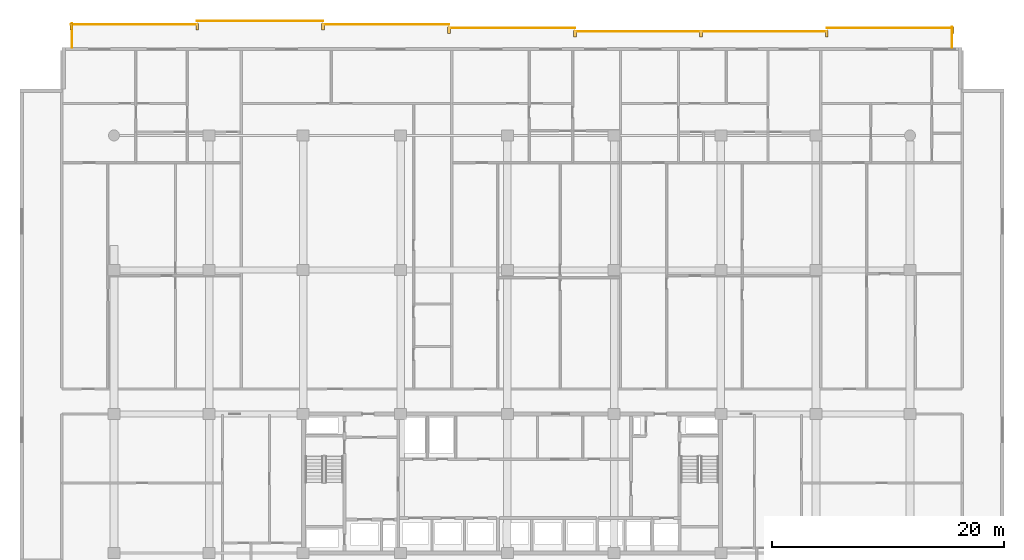
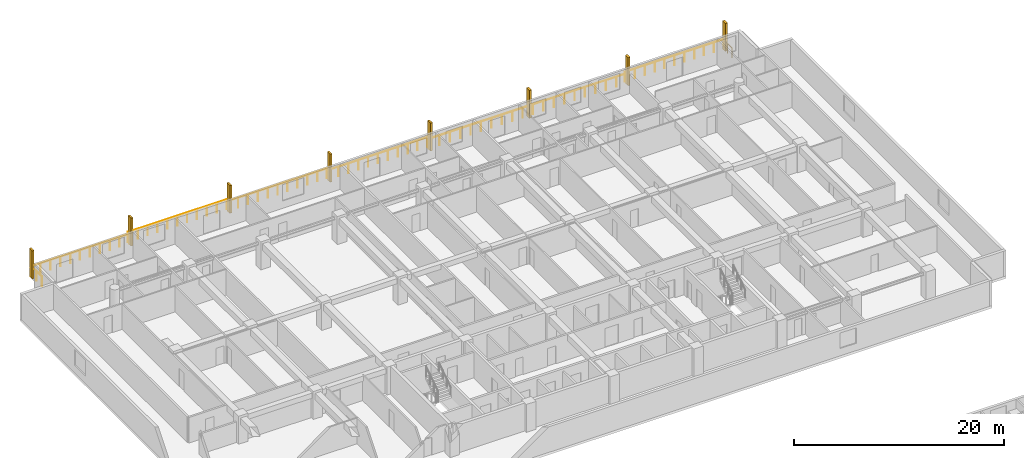
# One storey, part 23 of 23: 8 railings, 8 shading devices.
"""IFC4 building model written with IfcOpenShell, lengths in metres."""

from ifc_helpers import new_model, si_unit, direction, frame, origin, origin_2d, place, context, subcontext, project, spatial, rectangle, circle, extrude, material, type_object, element, save


model = new_model("IFC4")

# Units and contexts
model_context = context("Model", 3, precision=1e-05, world=origin(), true_north=direction((0.0, 1.0)))
body_context = subcontext(model_context, "Body", "Model", "MODEL_VIEW")
ifc_project = project(units=[si_unit("LENGTHUNIT", "METRE"), si_unit("AREAUNIT", "SQUARE_METRE"), si_unit("VOLUMEUNIT", "CUBIC_METRE"), si_unit("PLANEANGLEUNIT", "RADIAN"), si_unit("MASSUNIT", "GRAM", prefix="KILO")], contexts=[model_context])

# Site, building, storey
site_placement = place(None, origin())
site = spatial("IfcSite", under=ifc_project, at=site_placement, CompositionType="ELEMENT")
building_placement = place(site_placement, origin())
building = spatial("IfcBuilding", under=site, at=building_placement, Name="Korimba Cascade Residences", CompositionType="ELEMENT")
storey_placement = place(building_placement, frame((0.0, 0.0, 46.75)))
storey = spatial("IfcBuildingStorey", under=building, at=storey_placement, Name="L12", CompositionType="ELEMENT", Elevation=46.75)

# Railings
ifc_material_1 = material(Name="Laminated Glass and Bronze Balustrade", Category="glass")
railing_type = type_object("IfcRailingType", Name="RLG-LOG-1150", PredefinedType="BALUSTRADE", material=ifc_material_1)
railing_1_placement = place(storey_placement, frame((132.02001953125, 98.800048828125, 0.0)))
element("IfcRailing", 1, at=railing_1_placement, inside=storey, type_object=railing_type, Name="L12 Perimeter Guardrail RLG-L12-T1-LOG-01", PredefinedType="BALUSTRADE", context=body_context, shape_type="SweptSolid", body=[
    extrude(circle(Radius=0.02392578125, at=origin_2d()), frame((0.0, 0.0, 1.1259765625), z_axis=(0.0, 1.0, 0.0), x_axis=(-1.0, 0.0, 0.0)), (0.0, 0.0, 1.0), 1.75),
    extrude(circle(Radius=0.02099609375, at=origin_2d()), origin(), (0.0, 0.0, 1.0), 1.101806640625),
    extrude(circle(Radius=0.02099609375, at=origin_2d()), frame((0.0, 0.875, 0.0)), (0.0, 0.0, 1.0), 1.101806640625),
    extrude(circle(Radius=0.02099609375, at=origin_2d()), frame((0.0, 1.75, 0.0)), (0.0, 0.0, 1.0), 1.101806640625),
])
railing_2_placement = place(storey_placement, frame((132.10009765625, 100.469970703125, 0.0)))
element("IfcRailing", 2, at=railing_2_placement, inside=storey, type_object=railing_type, Name="L12 Perimeter Guardrail RLG-L12-T1-LOG-02", PredefinedType="BALUSTRADE", context=body_context, shape_type="SweptSolid", body=[
    extrude(circle(Radius=0.02392578125, at=origin_2d()), frame((0.0, 0.0, 1.1259765625), z_axis=(-1.0, 0.0, 0.0), x_axis=(0.0, -1.0, 0.0)), (0.0, 0.0, 1.0), 10.857177734375),
    extrude(circle(Radius=0.02099609375, at=origin_2d()), origin(), (0.0, 0.0, 1.0), 1.101806640625),
    extrude(circle(Radius=0.02099609375, at=origin_2d()), frame((-1.085693359375, 0.0, 0.0)), (0.0, 0.0, 1.0), 1.101806640625),
    extrude(circle(Radius=0.02099609375, at=origin_2d()), frame((-2.17138671875, 0.0, 0.0)), (0.0, 0.0, 1.0), 1.101806640625),
    extrude(circle(Radius=0.02099609375, at=origin_2d()), frame((-3.257080078125, 0.0, 0.0)), (0.0, 0.0, 1.0), 1.101806640625),
    extrude(circle(Radius=0.02099609375, at=origin_2d()), frame((-4.3427734375, 0.0, 0.0)), (0.0, 0.0, 1.0), 1.101806640625),
    extrude(circle(Radius=0.02099609375, at=origin_2d()), frame((-5.4287109375, 0.0, 0.0)), (0.0, 0.0, 1.0), 1.101806640625),
    extrude(circle(Radius=0.02099609375, at=origin_2d()), frame((-6.514404296875, 0.0, 0.0)), (0.0, 0.0, 1.0), 1.101806640625),
    extrude(circle(Radius=0.02099609375, at=origin_2d()), frame((-7.60009765625, 0.0, 0.0)), (0.0, 0.0, 1.0), 1.101806640625),
    extrude(circle(Radius=0.02099609375, at=origin_2d()), frame((-8.685791015625, 0.0, 0.0)), (0.0, 0.0, 1.0), 1.101806640625),
    extrude(circle(Radius=0.02099609375, at=origin_2d()), frame((-9.771484375, 0.0, 0.0)), (0.0, 0.0, 1.0), 1.101806640625),
    extrude(circle(Radius=0.02099609375, at=origin_2d()), frame((-10.857177734375, 0.0, 0.0)), (0.0, 0.0, 1.0), 1.101806640625),
])
railing_3_placement = place(storey_placement, frame((121.242919921875, 100.169921875, 0.0)))
element("IfcRailing", 3, at=railing_3_placement, inside=storey, type_object=railing_type, Name="L12 Perimeter Guardrail RLG-L12-T1-LOG-03", PredefinedType="BALUSTRADE", context=body_context, shape_type="SweptSolid", body=[
    extrude(circle(Radius=0.02392578125, at=origin_2d()), frame((0.0, 0.0, 1.1259765625), z_axis=(-1.0, 0.0, 0.0), x_axis=(0.0, -1.0, 0.0)), (0.0, 0.0, 1.0), 21.71435546875),
    extrude(circle(Radius=0.02099609375, at=origin_2d()), origin(), (0.0, 0.0, 1.0), 1.101806640625),
    extrude(circle(Radius=0.02099609375, at=origin_2d()), frame((-1.142822265625, 0.0, 0.0)), (0.0, 0.0, 1.0), 1.101806640625),
    extrude(circle(Radius=0.02099609375, at=origin_2d()), frame((-2.28564453125, 0.0, 0.0)), (0.0, 0.0, 1.0), 1.101806640625),
    extrude(circle(Radius=0.02099609375, at=origin_2d()), frame((-3.428466796875, 0.0, 0.0)), (0.0, 0.0, 1.0), 1.101806640625),
    extrude(circle(Radius=0.02099609375, at=origin_2d()), frame((-4.571533203125, 0.0, 0.0)), (0.0, 0.0, 1.0), 1.101806640625),
    extrude(circle(Radius=0.02099609375, at=origin_2d()), frame((-5.71435546875, 0.0, 0.0)), (0.0, 0.0, 1.0), 1.101806640625),
    extrude(circle(Radius=0.02099609375, at=origin_2d()), frame((-6.857177734375, 0.0, 0.0)), (0.0, 0.0, 1.0), 1.101806640625),
    extrude(circle(Radius=0.02099609375, at=origin_2d()), frame((-8.0, 0.0, 0.0)), (0.0, 0.0, 1.0), 1.101806640625),
    extrude(circle(Radius=0.02099609375, at=origin_2d()), frame((-9.142822265625, 0.0, 0.0)), (0.0, 0.0, 1.0), 1.101806640625),
    extrude(circle(Radius=0.02099609375, at=origin_2d()), frame((-10.28564453125, 0.0, 0.0)), (0.0, 0.0, 1.0), 1.101806640625),
    extrude(circle(Radius=0.02099609375, at=origin_2d()), frame((-11.4287109375, 0.0, 0.0)), (0.0, 0.0, 1.0), 1.101806640625),
    extrude(circle(Radius=0.02099609375, at=origin_2d()), frame((-12.571533203125, 0.0, 0.0)), (0.0, 0.0, 1.0), 1.101806640625),
    extrude(circle(Radius=0.02099609375, at=origin_2d()), frame((-13.71435546875, 0.0, 0.0)), (0.0, 0.0, 1.0), 1.101806640625),
    extrude(circle(Radius=0.02099609375, at=origin_2d()), frame((-14.857177734375, 0.0, 0.0)), (0.0, 0.0, 1.0), 1.101806640625),
    extrude(circle(Radius=0.02099609375, at=origin_2d()), frame((-16.0, 0.0, 0.0)), (0.0, 0.0, 1.0), 1.101806640625),
    extrude(circle(Radius=0.02099609375, at=origin_2d()), frame((-17.142822265625, 0.0, 0.0)), (0.0, 0.0, 1.0), 1.101806640625),
    extrude(circle(Radius=0.02099609375, at=origin_2d()), frame((-18.285888671875, 0.0, 0.0)), (0.0, 0.0, 1.0), 1.101806640625),
    extrude(circle(Radius=0.02099609375, at=origin_2d()), frame((-19.4287109375, 0.0, 0.0)), (0.0, 0.0, 1.0), 1.101806640625),
    extrude(circle(Radius=0.02099609375, at=origin_2d()), frame((-20.571533203125, 0.0, 0.0)), (0.0, 0.0, 1.0), 1.101806640625),
    extrude(circle(Radius=0.02099609375, at=origin_2d()), frame((-21.71435546875, 0.0, 0.0)), (0.0, 0.0, 1.0), 1.101806640625),
])
for number, where, name in (
    (4, (99.528564453125, 100.469970703125, 0.0), "L12 Perimeter Guardrail RLG-L12-T1-LOG-04"),
    (5, (88.67138671875, 100.77001953125, 0.0), "L12 Perimeter Guardrail RLG-L12-T1-LOG-05"),
    (6, (77.814208984375, 101.070068359375, 0.0), "L12 Perimeter Guardrail RLG-L12-T1-LOG-06"),
):
    element("IfcRailing", number, at=place(storey_placement, frame(where)), inside=storey, type_object=railing_type, Name=name, PredefinedType="BALUSTRADE", context=body_context, shape_type="SweptSolid", body=[
        extrude(circle(Radius=0.02392578125, at=origin_2d()), frame((0.0, 0.0, 1.1259765625), z_axis=(-1.0, 0.0, 0.0), x_axis=(0.0, -1.0, 0.0)), (0.0, 0.0, 1.0), 10.857177734375),
        extrude(circle(Radius=0.02099609375, at=origin_2d()), origin(), (0.0, 0.0, 1.0), 1.101806640625),
        extrude(circle(Radius=0.02099609375, at=origin_2d()), frame((-1.085693359375, 0.0, 0.0)), (0.0, 0.0, 1.0), 1.101806640625),
        extrude(circle(Radius=0.02099609375, at=origin_2d()), frame((-2.17138671875, 0.0, 0.0)), (0.0, 0.0, 1.0), 1.101806640625),
        extrude(circle(Radius=0.02099609375, at=origin_2d()), frame((-3.257080078125, 0.0, 0.0)), (0.0, 0.0, 1.0), 1.101806640625),
        extrude(circle(Radius=0.02099609375, at=origin_2d()), frame((-4.3427734375, 0.0, 0.0)), (0.0, 0.0, 1.0), 1.101806640625),
        extrude(circle(Radius=0.02099609375, at=origin_2d()), frame((-5.4287109375, 0.0, 0.0)), (0.0, 0.0, 1.0), 1.101806640625),
        extrude(circle(Radius=0.02099609375, at=origin_2d()), frame((-6.514404296875, 0.0, 0.0)), (0.0, 0.0, 1.0), 1.101806640625),
        extrude(circle(Radius=0.02099609375, at=origin_2d()), frame((-7.60009765625, 0.0, 0.0)), (0.0, 0.0, 1.0), 1.101806640625),
        extrude(circle(Radius=0.02099609375, at=origin_2d()), frame((-8.685791015625, 0.0, 0.0)), (0.0, 0.0, 1.0), 1.101806640625),
        extrude(circle(Radius=0.02099609375, at=origin_2d()), frame((-9.771484375, 0.0, 0.0)), (0.0, 0.0, 1.0), 1.101806640625),
        extrude(circle(Radius=0.02099609375, at=origin_2d()), frame((-10.857177734375, 0.0, 0.0)), (0.0, 0.0, 1.0), 1.101806640625),
    ])
railing_4_placement = place(storey_placement, frame((66.95703125, 100.77001953125, 0.0)))
element("IfcRailing", 7, at=railing_4_placement, inside=storey, type_object=railing_type, Name="L12 Perimeter Guardrail RLG-L12-T1-LOG-07", PredefinedType="BALUSTRADE", context=body_context, shape_type="SweptSolid", body=[
    extrude(circle(Radius=0.02392578125, at=origin_2d()), frame((0.0, 0.0, 1.1259765625), z_axis=(-1.0, 0.0, 0.0), x_axis=(0.0, -1.0, 0.0)), (0.0, 0.0, 1.0), 10.85693359375),
    extrude(circle(Radius=0.02099609375, at=origin_2d()), origin(), (0.0, 0.0, 1.0), 1.101806640625),
    extrude(circle(Radius=0.02099609375, at=origin_2d()), frame((-1.085693359375, 0.0, 0.0)), (0.0, 0.0, 1.0), 1.101806640625),
    extrude(circle(Radius=0.02099609375, at=origin_2d()), frame((-2.17138671875, 0.0, 0.0)), (0.0, 0.0, 1.0), 1.101806640625),
    extrude(circle(Radius=0.02099609375, at=origin_2d()), frame((-3.257080078125, 0.0, 0.0)), (0.0, 0.0, 1.0), 1.101806640625),
    extrude(circle(Radius=0.02099609375, at=origin_2d()), frame((-4.3427734375, 0.0, 0.0)), (0.0, 0.0, 1.0), 1.101806640625),
    extrude(circle(Radius=0.02099609375, at=origin_2d()), frame((-5.428466796875, 0.0, 0.0)), (0.0, 0.0, 1.0), 1.101806640625),
    extrude(circle(Radius=0.02099609375, at=origin_2d()), frame((-6.51416015625, 0.0, 0.0)), (0.0, 0.0, 1.0), 1.101806640625),
    extrude(circle(Radius=0.02099609375, at=origin_2d()), frame((-7.599853515625, 0.0, 0.0)), (0.0, 0.0, 1.0), 1.101806640625),
    extrude(circle(Radius=0.02099609375, at=origin_2d()), frame((-8.685546875, 0.0, 0.0)), (0.0, 0.0, 1.0), 1.101806640625),
    extrude(circle(Radius=0.02099609375, at=origin_2d()), frame((-9.771240234375, 0.0, 0.0)), (0.0, 0.0, 1.0), 1.101806640625),
    extrude(circle(Radius=0.02099609375, at=origin_2d()), frame((-10.85693359375, 0.0, 0.0)), (0.0, 0.0, 1.0), 1.101806640625),
])
railing_5_placement = place(storey_placement, frame((56.179931640625, 100.85009765625, 0.0)))
element("IfcRailing", 8, at=railing_5_placement, inside=storey, type_object=railing_type, Name="L12 Perimeter Guardrail RLG-L12-T1-LOG-08", PredefinedType="BALUSTRADE", context=body_context, shape_type="SweptSolid", body=[
    extrude(circle(Radius=0.02392578125, at=origin_2d()), frame((0.0, 0.0, 1.1259765625), z_axis=(0.0, -1.0, 0.0), x_axis=(1.0, 0.0, 0.0)), (0.0, 0.0, 1.0), 2.050048828125),
    extrude(circle(Radius=0.02099609375, at=origin_2d()), origin(), (0.0, 0.0, 1.0), 1.101806640625),
    extrude(circle(Radius=0.02099609375, at=origin_2d()), frame((0.0, -1.02490234375, 0.0)), (0.0, 0.0, 1.0), 1.101806640625),
    extrude(circle(Radius=0.02099609375, at=origin_2d()), frame((0.0, -2.050048828125, 0.0)), (0.0, 0.0, 1.0), 1.101806640625),
])

# Shading devices
ifc_material_2 = material(Name="Honed Sandstone Precast Fin", Category="masonry")
shading_device_type = type_object("IfcShadingDeviceType", Name="SHD-FIN-550", PredefinedType="USERDEFINED", material=ifc_material_2)
for number, where, z_axis, x_axis, name in (
    (9, (56.10009765625, 100.574951171875, 0.0), (0.0, 0.0, 1.0), (1.0, 0.0, 0.0), "L12 T1 Warm-Stone Loggia Fin 1"),
    (10, (66.95703125, 100.574951171875, 0.0), (0.0, 0.0, 1.0), (1.0, 0.0, 0.0), "L12 T1 Warm-Stone Loggia Fin 2"),
    (11, (77.814208984375, 100.574951171875, 0.0), (0.0, 0.0, 1.0), (1.0, 0.0, 0.0), "L12 T1 Warm-Stone Loggia Fin 3"),
    (12, (88.67138671875, 100.27490234375, 0.0), (0.0, 0.0, 1.0), (1.0, 0.0, 0.0), "L12 T1 Warm-Stone Loggia Fin 4"),
    (13, (99.528564453125, 99.97509765625, 0.0), (0.0, 0.0, 1.0), (1.0, 0.0, 0.0), "L12 T1 Warm-Stone Loggia Fin 5"),
    (14, (110.3857421875, 99.97509765625, 0.0), (0.0, 0.0, 1.0), (1.0, 0.0, 0.0), "L12 T1 Warm-Stone Loggia Fin 6"),
    (15, (121.242919921875, 99.97509765625, 0.0), (0.0, 0.0, 1.0), (1.0, 0.0, 0.0), "L12 T1 Warm-Stone Loggia Fin 7"),
    (16, (132.10009765625, 100.27490234375, 0.0), (0.0, 0.0, 1.0), (1.0, 0.0, 0.0), "L12 T1 Warm-Stone Loggia Fin 8"),
):
    element("IfcShadingDevice", number, at=place(storey_placement, frame(where, z_axis=z_axis, x_axis=x_axis)), inside=storey, type_object=shading_device_type, Name=name, ObjectType="FIN", PredefinedType="USERDEFINED", context=body_context, shape_type="SweptSolid", body=[
        extrude(rectangle(XDim=0.219970703125, YDim=0.550048828125, at=origin_2d()), origin(), (0.0, 0.0, 1.0), 3.25),
    ])

save(model, "model.ifc")
